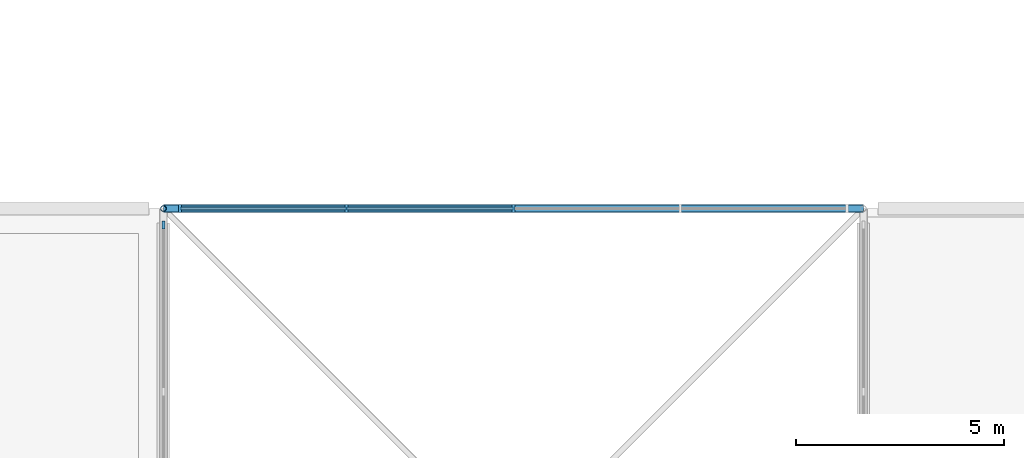
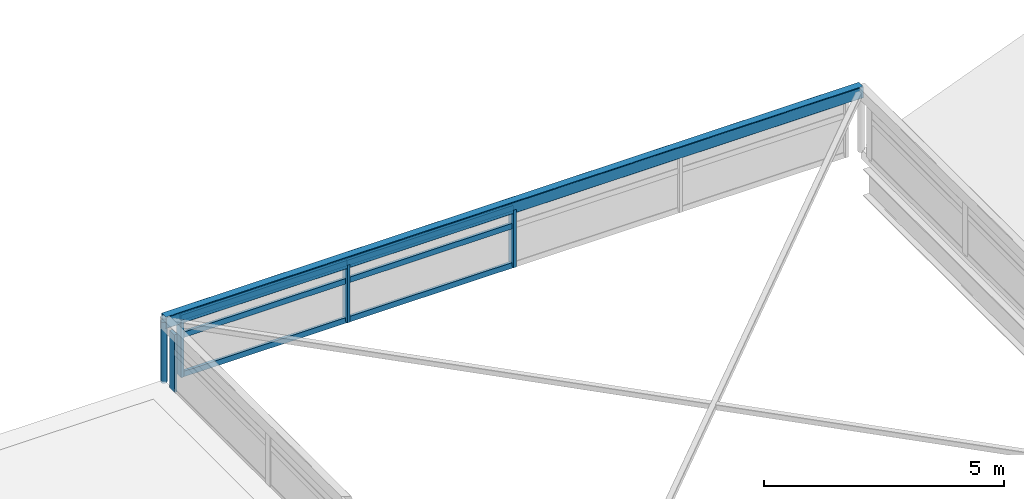
# One storey, part 64 of 81: 11 members, 1 beam, 2 elements without a shape of their own.
"""IFC4 building model written with IfcOpenShell, lengths in metres."""

from ifc_helpers import new_model, si_unit, direction, frame, origin, origin_2d, place, context, subcontext, project, spatial, rectangle, hollow_rectangle, hollow_circle, extrude, material, layer, layer_set, material_profile, profile_set, type_object, element, aggregate, save


model = new_model("IFC4")

# Units and contexts
model_context = context("Model", 3, precision=1e-05, world=origin(), true_north=direction((0.0, 1.0)))
body_context = subcontext(model_context, "Body", "Model", "MODEL_VIEW")
ifc_project = project(units=[si_unit("LENGTHUNIT", "METRE"), si_unit("AREAUNIT", "SQUARE_METRE"), si_unit("VOLUMEUNIT", "CUBIC_METRE"), si_unit("PLANEANGLEUNIT", "RADIAN"), si_unit("MASSUNIT", "GRAM", prefix="KILO")], contexts=[model_context])

# Site, building, storey
site_placement = place(None, origin())
site = spatial("IfcSite", under=ifc_project, at=site_placement, CompositionType="ELEMENT")
building_placement = place(site_placement, origin())
building = spatial("IfcBuilding", under=site, at=building_placement, Name="Qawsi Khor Wholesale Market", CompositionType="ELEMENT")
storey_placement = place(building_placement, frame((0.0, 0.0, 16.199951171875)))
storey = spatial("IfcBuildingStorey", under=building, at=storey_placement, Name="L03", CompositionType="ELEMENT", Elevation=16.199951171875)

# Curtain wall, members
ifc_material_1 = material(Name="Aluminium Anodised Bronze", Category="aluminium")
ifc_layer = layer(ifc_material_1, 0.179931640625, Name="Aluminium Anodised Bronze")
ifc_layer_set = layer_set([ifc_layer], Name="Aluminium Anodised Bronze")
curtain_wall_type = type_object("IfcCurtainWallType", Name="Atrium Full-Height Curtain Wall CW-02", PredefinedType="NOTDEFINED", material=ifc_layer_set)
curtain_wall_1_placement = place(storey_placement, origin())
curtain_wall_1 = element("IfcCurtainWall", 1, at=curtain_wall_1_placement, inside=storey, type_object=curtain_wall_type, Name="Curtain wall CW-CW-02-L03-051", PredefinedType="NOTDEFINED")
ifc_material_profile_1 = material_profile(ifc_material_1, rectangle(XDim=0.070068359375, YDim=0.199951171875, at=origin_2d()), Name="ALU MULLION 70x200")
ifc_profile_set_1 = profile_set([ifc_material_profile_1], Name="Aluminium Anodised Bronze")
member_type_1 = type_object("IfcMemberType", Name="Curtain Wall Mullion CW-02 ALU MULLION 70x200", PredefinedType="MULLION", material=ifc_profile_set_1)
member_1_placement = place(storey_placement, frame((151.594970703125, 42.0, -0.02001953125), z_axis=(0.0, 0.0, 1.0), x_axis=(1.0, 0.0, 0.0)))
member_1 = element("IfcMember", 2, at=member_1_placement, type_object=member_type_1, Name="Mullion CW-CW-02-L03-051-M00", PredefinedType="MULLION", context=body_context, shape_type="SweptSolid", body=[
    extrude(rectangle(XDim=0.070068359375, YDim=0.199951171875, at=origin_2d()), origin(), (0.0, 0.0, 1.0), 1.469970703125),
])
member_2_placement = place(storey_placement, frame((155.597412109375, 42.0, -0.02001953125), z_axis=(0.0, 0.0, 1.0), x_axis=(1.0, 0.0, 0.0)))
member_2 = element("IfcMember", 3, at=member_2_placement, type_object=member_type_1, Name="Mullion CW-CW-02-L03-051-M01", PredefinedType="MULLION", context=body_context, shape_type="SweptSolid", body=[
    extrude(rectangle(XDim=0.070068359375, YDim=0.199951171875, at=origin_2d()), origin(), (0.0, 0.0, 1.0), 1.469970703125),
])
member_3_placement = place(storey_placement, frame((159.60009765625, 42.0, -0.02001953125), z_axis=(0.0, 0.0, 1.0), x_axis=(1.0, 0.0, 0.0)))
member_3 = element("IfcMember", 4, at=member_3_placement, type_object=member_type_1, Name="Mullion CW-CW-02-L03-051-M02", PredefinedType="MULLION", context=body_context, shape_type="SweptSolid", body=[
    extrude(rectangle(XDim=0.070068359375, YDim=0.199951171875, at=origin_2d()), origin(), (0.0, 0.0, 1.0), 1.469970703125),
])

# Curtain wall, member
curtain_wall_2_placement = place(storey_placement, origin())
curtain_wall_2 = element("IfcCurtainWall", 5, at=curtain_wall_2_placement, inside=storey, type_object=curtain_wall_type, Name="Curtain wall CW-CW-02-L03-052", PredefinedType="NOTDEFINED")
member_4_placement = place(storey_placement, frame((151.199951171875, 41.60498046875, -0.02001953125), z_axis=(0.0, 0.0, 1.0), x_axis=(1.0, 0.0, 0.0)))
member_4 = element("IfcMember", 6, at=member_4_placement, type_object=member_type_1, Name="Mullion CW-CW-02-L03-052-M04", PredefinedType="MULLION", context=body_context, shape_type="SweptSolid", body=[
    extrude(rectangle(XDim=0.070068359375, YDim=0.199951171875, at=origin_2d()), origin(), (0.0, 0.0, 1.0), 1.469970703125),
])
aggregate(curtain_wall_2, [member_4])

# Member
ifc_material_profile_2 = material_profile(ifc_material_1, rectangle(XDim=0.06494140625, YDim=0.139892578125, at=origin_2d()), Name="ALU TRANSOM 65x140")
ifc_profile_set_2 = profile_set([ifc_material_profile_2], Name="Aluminium Anodised Bronze")
member_type_2 = type_object("IfcMemberType", Name="Curtain Wall Transom CW-02 ALU TRANSOM 65x140", PredefinedType="USERDEFINED", material=ifc_profile_set_2)
member_5_placement = place(storey_placement, frame((151.594970703125, 42.0, 0.0), z_axis=(1.0, 0.0, 0.0), x_axis=(0.0, 1.0, 0.0)))
member_5 = element("IfcMember", 7, at=member_5_placement, type_object=member_type_2, Name="Transom CW-CW-02-L03-051-T0_00", ObjectType="TRANSOM", PredefinedType="USERDEFINED", context=body_context, shape_type="SweptSolid", body=[
    extrude(rectangle(XDim=0.06494140625, YDim=0.139892578125, at=origin_2d()), origin(), (0.0, 0.0, 1.0), 4.00244140625),
])

member_6_placement = place(storey_placement, frame((155.597412109375, 42.0, 0.0), z_axis=(1.0, 0.0, 0.0), x_axis=(0.0, 1.0, 0.0)))
member_6 = element("IfcMember", 8, at=member_6_placement, type_object=member_type_2, Name="Transom CW-CW-02-L03-051-T0_01", ObjectType="TRANSOM", PredefinedType="USERDEFINED", context=body_context, shape_type="SweptSolid", body=[
    extrude(rectangle(XDim=0.06494140625, YDim=0.139892578125, at=origin_2d()), origin(), (0.0, 0.0, 1.0), 4.002685546875),
])

member_7_placement = place(storey_placement, frame((151.594970703125, 42.0, 1.0), z_axis=(1.0, 0.0, 0.0), x_axis=(0.0, 1.0, 0.0)))
member_7 = element("IfcMember", 9, at=member_7_placement, type_object=member_type_2, Name="Transom CW-CW-02-L03-051-T1_00", ObjectType="TRANSOM", PredefinedType="USERDEFINED", context=body_context, shape_type="SweptSolid", body=[
    extrude(rectangle(XDim=0.06494140625, YDim=0.139892578125, at=origin_2d()), origin(), (0.0, 0.0, 1.0), 4.00244140625),
])

member_8_placement = place(storey_placement, frame((155.597412109375, 42.0, 1.0), z_axis=(1.0, 0.0, 0.0), x_axis=(0.0, 1.0, 0.0)))
member_8 = element("IfcMember", 10, at=member_8_placement, type_object=member_type_2, Name="Transom CW-CW-02-L03-051-T1_01", ObjectType="TRANSOM", PredefinedType="USERDEFINED", context=body_context, shape_type="SweptSolid", body=[
    extrude(rectangle(XDim=0.06494140625, YDim=0.139892578125, at=origin_2d()), origin(), (0.0, 0.0, 1.0), 4.002685546875),
])

member_9_placement = place(storey_placement, frame((151.594970703125, 42.0, 1.449951171875), z_axis=(1.0, 0.0, 0.0), x_axis=(0.0, 1.0, 0.0)))
member_9 = element("IfcMember", 11, at=member_9_placement, type_object=member_type_2, Name="Transom CW-CW-02-L03-051-T2_00", ObjectType="TRANSOM", PredefinedType="USERDEFINED", context=body_context, shape_type="SweptSolid", body=[
    extrude(rectangle(XDim=0.06494140625, YDim=0.139892578125, at=origin_2d()), origin(), (0.0, 0.0, 1.0), 4.00244140625),
])

member_10_placement = place(storey_placement, frame((155.597412109375, 42.0, 1.449951171875), z_axis=(1.0, 0.0, 0.0), x_axis=(0.0, 1.0, 0.0)))
member_10 = element("IfcMember", 12, at=member_10_placement, type_object=member_type_2, Name="Transom CW-CW-02-L03-051-T2_01", ObjectType="TRANSOM", PredefinedType="USERDEFINED", context=body_context, shape_type="SweptSolid", body=[
    extrude(rectangle(XDim=0.06494140625, YDim=0.139892578125, at=origin_2d()), origin(), (0.0, 0.0, 1.0), 4.002685546875),
])

aggregate(curtain_wall_1, [member_1, member_2, member_3, member_5, member_6, member_7, member_8, member_9, member_10])

ifc_material_2 = material(Name="Steel S355", Category="steel")
ifc_material_profile_3 = material_profile(ifc_material_2, hollow_circle(Radius=0.06982421875, WallThickness=0.00634765625, at=origin_2d()), Name="CHS 139.7x6.3")
ifc_profile_set_3 = profile_set([ifc_material_profile_3], Name="Steel S355")
member_type_3 = type_object("IfcMemberType", Name="Lantern Corner Strut CHS 139.7x6.3", PredefinedType="STRUT", material=ifc_profile_set_3)
member_11_placement = place(storey_placement, frame((151.199951171875, 42.0, -0.050048828125), z_axis=(0.0, 0.0, 1.0), x_axis=(1.0, 0.0, 0.0)))
element("IfcMember", 13, at=member_11_placement, inside=storey, type_object=member_type_3, Name="Atrium lantern corner post EAT-4", PredefinedType="STRUT", context=body_context, shape_type="SweptSolid", body=[
    extrude(hollow_circle(Radius=0.06982421875, WallThickness=0.00634765625, at=origin_2d()), origin(), (0.0, 0.0, 1.0), 1.550048828125),
])

# Beam
ifc_material_profile_4 = material_profile(ifc_material_2, hollow_rectangle(XDim=0.199951171875, YDim=0.300048828125, WallThickness=0.012451171875, InnerFilletRadius=0.012451171875, OuterFilletRadius=0.02490234375, at=origin_2d()), Name="RHS 300x200x12.5")
ifc_profile_set_4 = profile_set([ifc_material_profile_4], Name="Steel S355")
beam_type = type_object("IfcBeamType", Name="Lantern Rim Beam RHS 300x200x12.5", PredefinedType="BEAM", material=ifc_profile_set_4)
beam_placement = place(storey_placement, frame((168.0, 42.0, 1.5), z_axis=(-1.0, 0.0, 0.0), x_axis=(0.0, -1.0, 0.0)))
element("IfcBeam", 14, at=beam_placement, inside=storey, type_object=beam_type, Name="Atrium lantern rim beam EAT-3", PredefinedType="BEAM", context=body_context, shape_type="SweptSolid", body=[
    extrude(hollow_rectangle(XDim=0.199951171875, YDim=0.300048828125, WallThickness=0.012451171875, InnerFilletRadius=0.012451171875, OuterFilletRadius=0.02490234375, at=origin_2d()), origin(), (0.0, 0.0, 1.0), 16.800048828125),
])

save(model, "model.ifc")
